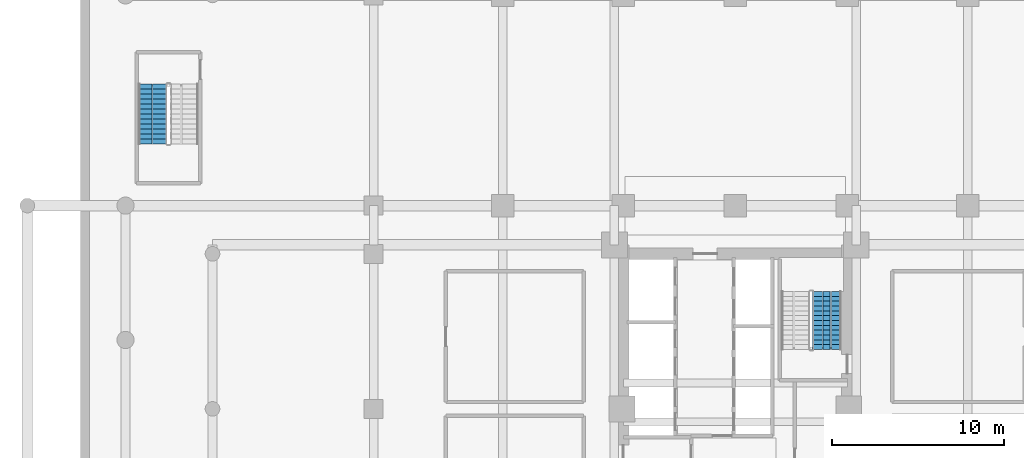
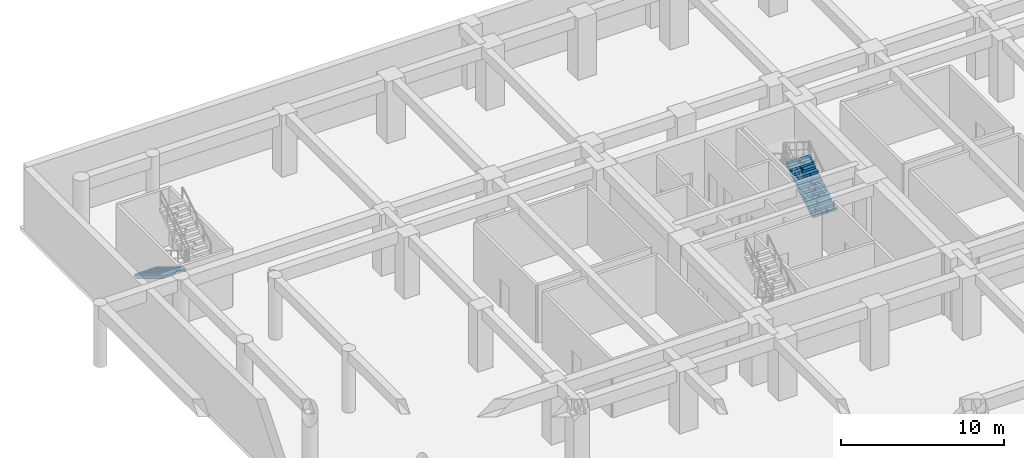
# One storey, part 6 of 12: 2 stair flights, 2 elements without a shape of their own.
"""IFC4 building model written with IfcOpenShell, lengths in metres."""

from ifc_helpers import new_model, si_unit, direction, frame, origin, place, context, subcontext, project, spatial, polyline, outline, extrude, material, type_object, element, aggregate, save


model = new_model("IFC4")

# Units and contexts
model_context = context("Model", 3, precision=1e-05, world=origin(), true_north=direction((0.0, 1.0)))
body_context = subcontext(model_context, "Body", "Model", "MODEL_VIEW")
ifc_project = project(units=[si_unit("LENGTHUNIT", "METRE"), si_unit("AREAUNIT", "SQUARE_METRE"), si_unit("VOLUMEUNIT", "CUBIC_METRE"), si_unit("PLANEANGLEUNIT", "RADIAN"), si_unit("MASSUNIT", "GRAM", prefix="KILO")], contexts=[model_context])

# Site, building, storey
site_placement = place(None, origin())
site = spatial("IfcSite", under=ifc_project, at=site_placement, CompositionType="ELEMENT")
building_placement = place(site_placement, origin())
building = spatial("IfcBuilding", under=site, at=building_placement, Name="Saelheon Loggia Tower", CompositionType="ELEMENT")
storey_placement = place(building_placement, frame((0.0, 0.0, -4.60009765625)))
storey = spatial("IfcBuildingStorey", under=building, at=storey_placement, Name="B1", CompositionType="ELEMENT", Elevation=-4.60009765625)

# Stair, stair flight
ifc_material = material(Name="Concrete C40/50", Category="concrete")
stair_type_1 = type_object("IfcStairType", Name="Stair_Escape_Podium", PredefinedType="HALF_TURN_STAIR", material=ifc_material)
stair_1_placement = place(storey_placement, origin())
stair_1 = element("IfcStair", 1, at=stair_1_placement, inside=storey, type_object=stair_type_1, Name="B1 Podium Escape Stair ST3", PredefinedType="HALF_TURN_STAIR")
stair_flight_type_1 = type_object("IfcStairFlightType", Name="StairFlight_Podium_1660", PredefinedType="STRAIGHT", material=ifc_material)
stair_flight_1_placement = place(storey_placement, frame((4.179931640625, 45.85009765625, 0.0), z_axis=(0.0, 0.0, 1.0), x_axis=(0.0, -1.0, 0.0)))
stair_flight_1 = element("IfcStairFlight", 2, at=stair_flight_1_placement, type_object=stair_flight_type_1, Name="ST3 flight 1", NumberOfRisers=13, NumberOfTreads=12, PredefinedType="STRAIGHT", RiserHeight=0.176923077, TreadLength=0.29, context=body_context, shape_type="SweptSolid", body=[
    extrude(outline(polyline([(0.0, 0.0), (0.0, 0.177001953125), (0.2900390625, 0.177001953125), (0.2900390625, 0.353759765625), (0.580078125, 0.353759765625), (0.580078125, 0.53076171875), (0.8701171875, 0.53076171875), (0.8701171875, 0.707763671875), (1.159912109375, 0.707763671875), (1.159912109375, 0.884521484375), (1.449951171875, 0.884521484375), (1.449951171875, 1.0615234375), (1.739990234375, 1.0615234375), (1.739990234375, 1.238525390625), (2.030029296875, 1.238525390625), (2.030029296875, 1.415283203125), (2.320068359375, 1.415283203125), (2.320068359375, 1.59228515625), (2.610107421875, 1.59228515625), (2.610107421875, 1.769287109375), (2.89990234375, 1.769287109375), (2.89990234375, 1.946044921875), (3.18994140625, 1.946044921875), (3.18994140625, 2.123046875), (3.47998046875, 2.123046875), (3.47998046875, 2.300048828125), (3.47998046875, 1.912353515625), (0.345458984375, 0.0), (0.0, 0.0)])), frame((0.0, -0.2490234375, 0.0), z_axis=(0.0, -1.0, 0.0), x_axis=(1.0, 0.0, 0.0)), (0.0, 0.0, 1.0), 0.5810546875),
    extrude(outline(polyline([(0.0, 0.0), (0.0, 0.177001953125), (0.2900390625, 0.177001953125), (0.2900390625, 0.353759765625), (0.580078125, 0.353759765625), (0.580078125, 0.53076171875), (0.8701171875, 0.53076171875), (0.8701171875, 0.707763671875), (1.159912109375, 0.707763671875), (1.159912109375, 0.884521484375), (1.449951171875, 0.884521484375), (1.449951171875, 1.0615234375), (1.739990234375, 1.0615234375), (1.739990234375, 1.238525390625), (2.030029296875, 1.238525390625), (2.030029296875, 1.415283203125), (2.320068359375, 1.415283203125), (2.320068359375, 1.59228515625), (2.610107421875, 1.59228515625), (2.610107421875, 1.769287109375), (2.89990234375, 1.769287109375), (2.89990234375, 1.946044921875), (3.18994140625, 1.946044921875), (3.18994140625, 2.123046875), (3.47998046875, 2.123046875), (3.47998046875, 2.300048828125), (3.47998046875, 1.912353515625), (0.345458984375, 0.0), (0.0, 0.0)])), frame((0.0, -0.194091796875, 0.0), z_axis=(0.0, -1.0, 0.0), x_axis=(1.0, 0.0, 0.0)), (0.0, 0.0, 1.0), 0.0498046875),
    extrude(outline(polyline([(0.0, 0.0), (0.0, 0.177001953125), (0.2900390625, 0.177001953125), (0.2900390625, 0.353759765625), (0.580078125, 0.353759765625), (0.580078125, 0.53076171875), (0.8701171875, 0.53076171875), (0.8701171875, 0.707763671875), (1.159912109375, 0.707763671875), (1.159912109375, 0.884521484375), (1.449951171875, 0.884521484375), (1.449951171875, 1.0615234375), (1.739990234375, 1.0615234375), (1.739990234375, 1.238525390625), (2.030029296875, 1.238525390625), (2.030029296875, 1.415283203125), (2.320068359375, 1.415283203125), (2.320068359375, 1.59228515625), (2.610107421875, 1.59228515625), (2.610107421875, 1.769287109375), (2.89990234375, 1.769287109375), (2.89990234375, 1.946044921875), (3.18994140625, 1.946044921875), (3.18994140625, 2.123046875), (3.47998046875, 2.123046875), (3.47998046875, 2.300048828125), (3.47998046875, 1.912353515625), (0.345458984375, 0.0), (0.0, 0.0)])), frame((0.0, -0.139404296875, 0.0), z_axis=(0.0, -1.0, 0.0), x_axis=(1.0, 0.0, 0.0)), (0.0, 0.0, 1.0), 0.0498046875),
    extrude(outline(polyline([(0.0, 0.0), (0.0, 0.177001953125), (0.2900390625, 0.177001953125), (0.2900390625, 0.353759765625), (0.580078125, 0.353759765625), (0.580078125, 0.53076171875), (0.8701171875, 0.53076171875), (0.8701171875, 0.707763671875), (1.159912109375, 0.707763671875), (1.159912109375, 0.884521484375), (1.449951171875, 0.884521484375), (1.449951171875, 1.0615234375), (1.739990234375, 1.0615234375), (1.739990234375, 1.238525390625), (2.030029296875, 1.238525390625), (2.030029296875, 1.415283203125), (2.320068359375, 1.415283203125), (2.320068359375, 1.59228515625), (2.610107421875, 1.59228515625), (2.610107421875, 1.769287109375), (2.89990234375, 1.769287109375), (2.89990234375, 1.946044921875), (3.18994140625, 1.946044921875), (3.18994140625, 2.123046875), (3.47998046875, 2.123046875), (3.47998046875, 2.300048828125), (3.47998046875, 1.912353515625), (0.345458984375, 0.0), (0.0, 0.0)])), frame((0.0, -0.084716796875, 0.0), z_axis=(0.0, -1.0, 0.0), x_axis=(1.0, 0.0, 0.0)), (0.0, 0.0, 1.0), 0.0498046875),
    extrude(outline(polyline([(0.0, 0.0), (0.0, 0.177001953125), (0.2900390625, 0.177001953125), (0.2900390625, 0.353759765625), (0.580078125, 0.353759765625), (0.580078125, 0.53076171875), (0.8701171875, 0.53076171875), (0.8701171875, 0.707763671875), (1.159912109375, 0.707763671875), (1.159912109375, 0.884521484375), (1.449951171875, 0.884521484375), (1.449951171875, 1.0615234375), (1.739990234375, 1.0615234375), (1.739990234375, 1.238525390625), (2.030029296875, 1.238525390625), (2.030029296875, 1.415283203125), (2.320068359375, 1.415283203125), (2.320068359375, 1.59228515625), (2.610107421875, 1.59228515625), (2.610107421875, 1.769287109375), (2.89990234375, 1.769287109375), (2.89990234375, 1.946044921875), (3.18994140625, 1.946044921875), (3.18994140625, 2.123046875), (3.47998046875, 2.123046875), (3.47998046875, 2.300048828125), (3.47998046875, 1.912353515625), (0.345458984375, 0.0), (0.0, 0.0)])), frame((0.0, -0.02978515625, 0.0), z_axis=(0.0, -1.0, 0.0), x_axis=(1.0, 0.0, 0.0)), (0.0, 0.0, 1.0), 0.0498046875),
    extrude(outline(polyline([(0.0, 0.0), (0.0, 0.177001953125), (0.2900390625, 0.177001953125), (0.2900390625, 0.353759765625), (0.580078125, 0.353759765625), (0.580078125, 0.53076171875), (0.8701171875, 0.53076171875), (0.8701171875, 0.707763671875), (1.159912109375, 0.707763671875), (1.159912109375, 0.884521484375), (1.449951171875, 0.884521484375), (1.449951171875, 1.0615234375), (1.739990234375, 1.0615234375), (1.739990234375, 1.238525390625), (2.030029296875, 1.238525390625), (2.030029296875, 1.415283203125), (2.320068359375, 1.415283203125), (2.320068359375, 1.59228515625), (2.610107421875, 1.59228515625), (2.610107421875, 1.769287109375), (2.89990234375, 1.769287109375), (2.89990234375, 1.946044921875), (3.18994140625, 1.946044921875), (3.18994140625, 2.123046875), (3.47998046875, 2.123046875), (3.47998046875, 2.300048828125), (3.47998046875, 1.912353515625), (0.345458984375, 0.0), (0.0, 0.0)])), frame((0.0, 0.02490234375, 0.0), z_axis=(0.0, -1.0, 0.0), x_axis=(1.0, 0.0, 0.0)), (0.0, 0.0, 1.0), 0.0498046875),
    extrude(outline(polyline([(0.0, 0.0), (0.0, 0.177001953125), (0.2900390625, 0.177001953125), (0.2900390625, 0.353759765625), (0.580078125, 0.353759765625), (0.580078125, 0.53076171875), (0.8701171875, 0.53076171875), (0.8701171875, 0.707763671875), (1.159912109375, 0.707763671875), (1.159912109375, 0.884521484375), (1.449951171875, 0.884521484375), (1.449951171875, 1.0615234375), (1.739990234375, 1.0615234375), (1.739990234375, 1.238525390625), (2.030029296875, 1.238525390625), (2.030029296875, 1.415283203125), (2.320068359375, 1.415283203125), (2.320068359375, 1.59228515625), (2.610107421875, 1.59228515625), (2.610107421875, 1.769287109375), (2.89990234375, 1.769287109375), (2.89990234375, 1.946044921875), (3.18994140625, 1.946044921875), (3.18994140625, 2.123046875), (3.47998046875, 2.123046875), (3.47998046875, 2.300048828125), (3.47998046875, 1.912353515625), (0.345458984375, 0.0), (0.0, 0.0)])), frame((0.0, 0.07958984375, 0.0), z_axis=(0.0, -1.0, 0.0), x_axis=(1.0, 0.0, 0.0)), (0.0, 0.0, 1.0), 0.0498046875),
    extrude(outline(polyline([(0.0, 0.0), (0.0, 0.177001953125), (0.2900390625, 0.177001953125), (0.2900390625, 0.353759765625), (0.580078125, 0.353759765625), (0.580078125, 0.53076171875), (0.8701171875, 0.53076171875), (0.8701171875, 0.707763671875), (1.159912109375, 0.707763671875), (1.159912109375, 0.884521484375), (1.449951171875, 0.884521484375), (1.449951171875, 1.0615234375), (1.739990234375, 1.0615234375), (1.739990234375, 1.238525390625), (2.030029296875, 1.238525390625), (2.030029296875, 1.415283203125), (2.320068359375, 1.415283203125), (2.320068359375, 1.59228515625), (2.610107421875, 1.59228515625), (2.610107421875, 1.769287109375), (2.89990234375, 1.769287109375), (2.89990234375, 1.946044921875), (3.18994140625, 1.946044921875), (3.18994140625, 2.123046875), (3.47998046875, 2.123046875), (3.47998046875, 2.300048828125), (3.47998046875, 1.912353515625), (0.345458984375, 0.0), (0.0, 0.0)])), frame((0.0, 0.134521484375, 0.0), z_axis=(0.0, -1.0, 0.0), x_axis=(1.0, 0.0, 0.0)), (0.0, 0.0, 1.0), 0.0498046875),
    extrude(outline(polyline([(0.0, 0.0), (0.0, 0.177001953125), (0.2900390625, 0.177001953125), (0.2900390625, 0.353759765625), (0.580078125, 0.353759765625), (0.580078125, 0.53076171875), (0.8701171875, 0.53076171875), (0.8701171875, 0.707763671875), (1.159912109375, 0.707763671875), (1.159912109375, 0.884521484375), (1.449951171875, 0.884521484375), (1.449951171875, 1.0615234375), (1.739990234375, 1.0615234375), (1.739990234375, 1.238525390625), (2.030029296875, 1.238525390625), (2.030029296875, 1.415283203125), (2.320068359375, 1.415283203125), (2.320068359375, 1.59228515625), (2.610107421875, 1.59228515625), (2.610107421875, 1.769287109375), (2.89990234375, 1.769287109375), (2.89990234375, 1.946044921875), (3.18994140625, 1.946044921875), (3.18994140625, 2.123046875), (3.47998046875, 2.123046875), (3.47998046875, 2.300048828125), (3.47998046875, 1.912353515625), (0.345458984375, 0.0), (0.0, 0.0)])), frame((0.0, 0.189208984375, 0.0), z_axis=(0.0, -1.0, 0.0), x_axis=(1.0, 0.0, 0.0)), (0.0, 0.0, 1.0), 0.0498046875),
    extrude(outline(polyline([(0.0, 0.0), (0.0, 0.177001953125), (0.2900390625, 0.177001953125), (0.2900390625, 0.353759765625), (0.580078125, 0.353759765625), (0.580078125, 0.53076171875), (0.8701171875, 0.53076171875), (0.8701171875, 0.707763671875), (1.159912109375, 0.707763671875), (1.159912109375, 0.884521484375), (1.449951171875, 0.884521484375), (1.449951171875, 1.0615234375), (1.739990234375, 1.0615234375), (1.739990234375, 1.238525390625), (2.030029296875, 1.238525390625), (2.030029296875, 1.415283203125), (2.320068359375, 1.415283203125), (2.320068359375, 1.59228515625), (2.610107421875, 1.59228515625), (2.610107421875, 1.769287109375), (2.89990234375, 1.769287109375), (2.89990234375, 1.946044921875), (3.18994140625, 1.946044921875), (3.18994140625, 2.123046875), (3.47998046875, 2.123046875), (3.47998046875, 2.300048828125), (3.47998046875, 1.912353515625), (0.345458984375, 0.0), (0.0, 0.0)])), frame((0.0, 0.243896484375, 0.0), z_axis=(0.0, -1.0, 0.0), x_axis=(1.0, 0.0, 0.0)), (0.0, 0.0, 1.0), 0.0498046875),
    extrude(outline(polyline([(0.0, 0.0), (0.0, 0.177001953125), (0.2900390625, 0.177001953125), (0.2900390625, 0.353759765625), (0.580078125, 0.353759765625), (0.580078125, 0.53076171875), (0.8701171875, 0.53076171875), (0.8701171875, 0.707763671875), (1.159912109375, 0.707763671875), (1.159912109375, 0.884521484375), (1.449951171875, 0.884521484375), (1.449951171875, 1.0615234375), (1.739990234375, 1.0615234375), (1.739990234375, 1.238525390625), (2.030029296875, 1.238525390625), (2.030029296875, 1.415283203125), (2.320068359375, 1.415283203125), (2.320068359375, 1.59228515625), (2.610107421875, 1.59228515625), (2.610107421875, 1.769287109375), (2.89990234375, 1.769287109375), (2.89990234375, 1.946044921875), (3.18994140625, 1.946044921875), (3.18994140625, 2.123046875), (3.47998046875, 2.123046875), (3.47998046875, 2.300048828125), (3.47998046875, 1.912353515625), (0.345458984375, 0.0), (0.0, 0.0)])), frame((0.0, 0.830078125, 0.0), z_axis=(0.0, -1.0, 0.0), x_axis=(1.0, 0.0, 0.0)), (0.0, 0.0, 1.0), 0.5810546875),
])
aggregate(stair_1, [stair_flight_1])

stair_type_2 = type_object("IfcStairType", Name="Stair_Escape_Core", PredefinedType="HALF_TURN_STAIR", material=ifc_material)
stair_2_placement = place(storey_placement, origin())
stair_2 = element("IfcStair", 3, at=stair_2_placement, inside=storey, type_object=stair_type_2, Name="B1 Special Escape Stair ST2", PredefinedType="HALF_TURN_STAIR")
stair_flight_type_2 = type_object("IfcStairFlightType", Name="StairFlight_Tower_1660", PredefinedType="STRAIGHT", material=ifc_material)
stair_flight_2_placement = place(storey_placement, frame((43.320068359375, 30.449951171875, 0.0), z_axis=(0.0, 0.0, 1.0), x_axis=(0.0, 1.0, 0.0)))
stair_flight_2 = element("IfcStairFlight", 4, at=stair_flight_2_placement, type_object=stair_flight_type_2, Name="ST2 flight 1", NumberOfRisers=13, NumberOfTreads=12, PredefinedType="STRAIGHT", RiserHeight=0.176923077, TreadLength=0.28, context=body_context, shape_type="SweptSolid", body=[
    extrude(outline(polyline([(0.0, 0.0), (0.0, 0.177001953125), (0.280029296875, 0.177001953125), (0.280029296875, 0.353759765625), (0.56005859375, 0.353759765625), (0.56005859375, 0.53076171875), (0.840087890625, 0.53076171875), (0.840087890625, 0.707763671875), (1.1201171875, 0.707763671875), (1.1201171875, 0.884521484375), (1.39990234375, 0.884521484375), (1.39990234375, 1.0615234375), (1.679931640625, 1.0615234375), (1.679931640625, 1.238525390625), (1.9599609375, 1.238525390625), (1.9599609375, 1.415283203125), (2.239990234375, 1.415283203125), (2.239990234375, 1.59228515625), (2.52001953125, 1.59228515625), (2.52001953125, 1.769287109375), (2.800048828125, 1.769287109375), (2.800048828125, 1.946044921875), (3.080078125, 1.946044921875), (3.080078125, 2.123046875), (3.360107421875, 2.123046875), (3.360107421875, 2.300048828125), (3.360107421875, 1.91015625), (0.3369140625, 0.0), (0.0, 0.0)])), frame((0.0, -0.2490234375, 0.0), z_axis=(0.0, -1.0, 0.0), x_axis=(1.0, 0.0, 0.0)), (0.0, 0.0, 1.0), 0.5810546875),
    extrude(outline(polyline([(0.0, 0.0), (0.0, 0.177001953125), (0.280029296875, 0.177001953125), (0.280029296875, 0.353759765625), (0.56005859375, 0.353759765625), (0.56005859375, 0.53076171875), (0.840087890625, 0.53076171875), (0.840087890625, 0.707763671875), (1.1201171875, 0.707763671875), (1.1201171875, 0.884521484375), (1.39990234375, 0.884521484375), (1.39990234375, 1.0615234375), (1.679931640625, 1.0615234375), (1.679931640625, 1.238525390625), (1.9599609375, 1.238525390625), (1.9599609375, 1.415283203125), (2.239990234375, 1.415283203125), (2.239990234375, 1.59228515625), (2.52001953125, 1.59228515625), (2.52001953125, 1.769287109375), (2.800048828125, 1.769287109375), (2.800048828125, 1.946044921875), (3.080078125, 1.946044921875), (3.080078125, 2.123046875), (3.360107421875, 2.123046875), (3.360107421875, 2.300048828125), (3.360107421875, 1.91015625), (0.3369140625, 0.0), (0.0, 0.0)])), frame((0.0, -0.194091796875, 0.0), z_axis=(0.0, -1.0, 0.0), x_axis=(1.0, 0.0, 0.0)), (0.0, 0.0, 1.0), 0.0498046875),
    extrude(outline(polyline([(0.0, 0.0), (0.0, 0.177001953125), (0.280029296875, 0.177001953125), (0.280029296875, 0.353759765625), (0.56005859375, 0.353759765625), (0.56005859375, 0.53076171875), (0.840087890625, 0.53076171875), (0.840087890625, 0.707763671875), (1.1201171875, 0.707763671875), (1.1201171875, 0.884521484375), (1.39990234375, 0.884521484375), (1.39990234375, 1.0615234375), (1.679931640625, 1.0615234375), (1.679931640625, 1.238525390625), (1.9599609375, 1.238525390625), (1.9599609375, 1.415283203125), (2.239990234375, 1.415283203125), (2.239990234375, 1.59228515625), (2.52001953125, 1.59228515625), (2.52001953125, 1.769287109375), (2.800048828125, 1.769287109375), (2.800048828125, 1.946044921875), (3.080078125, 1.946044921875), (3.080078125, 2.123046875), (3.360107421875, 2.123046875), (3.360107421875, 2.300048828125), (3.360107421875, 1.91015625), (0.3369140625, 0.0), (0.0, 0.0)])), frame((0.0, -0.139404296875, 0.0), z_axis=(0.0, -1.0, 0.0), x_axis=(1.0, 0.0, 0.0)), (0.0, 0.0, 1.0), 0.0498046875),
    extrude(outline(polyline([(0.0, 0.0), (0.0, 0.177001953125), (0.280029296875, 0.177001953125), (0.280029296875, 0.353759765625), (0.56005859375, 0.353759765625), (0.56005859375, 0.53076171875), (0.840087890625, 0.53076171875), (0.840087890625, 0.707763671875), (1.1201171875, 0.707763671875), (1.1201171875, 0.884521484375), (1.39990234375, 0.884521484375), (1.39990234375, 1.0615234375), (1.679931640625, 1.0615234375), (1.679931640625, 1.238525390625), (1.9599609375, 1.238525390625), (1.9599609375, 1.415283203125), (2.239990234375, 1.415283203125), (2.239990234375, 1.59228515625), (2.52001953125, 1.59228515625), (2.52001953125, 1.769287109375), (2.800048828125, 1.769287109375), (2.800048828125, 1.946044921875), (3.080078125, 1.946044921875), (3.080078125, 2.123046875), (3.360107421875, 2.123046875), (3.360107421875, 2.300048828125), (3.360107421875, 1.91015625), (0.3369140625, 0.0), (0.0, 0.0)])), frame((0.0, -0.084716796875, 0.0), z_axis=(0.0, -1.0, 0.0), x_axis=(1.0, 0.0, 0.0)), (0.0, 0.0, 1.0), 0.0498046875),
    extrude(outline(polyline([(0.0, 0.0), (0.0, 0.177001953125), (0.280029296875, 0.177001953125), (0.280029296875, 0.353759765625), (0.56005859375, 0.353759765625), (0.56005859375, 0.53076171875), (0.840087890625, 0.53076171875), (0.840087890625, 0.707763671875), (1.1201171875, 0.707763671875), (1.1201171875, 0.884521484375), (1.39990234375, 0.884521484375), (1.39990234375, 1.0615234375), (1.679931640625, 1.0615234375), (1.679931640625, 1.238525390625), (1.9599609375, 1.238525390625), (1.9599609375, 1.415283203125), (2.239990234375, 1.415283203125), (2.239990234375, 1.59228515625), (2.52001953125, 1.59228515625), (2.52001953125, 1.769287109375), (2.800048828125, 1.769287109375), (2.800048828125, 1.946044921875), (3.080078125, 1.946044921875), (3.080078125, 2.123046875), (3.360107421875, 2.123046875), (3.360107421875, 2.300048828125), (3.360107421875, 1.91015625), (0.3369140625, 0.0), (0.0, 0.0)])), frame((0.0, -0.02978515625, 0.0), z_axis=(0.0, -1.0, 0.0), x_axis=(1.0, 0.0, 0.0)), (0.0, 0.0, 1.0), 0.0498046875),
    extrude(outline(polyline([(0.0, 0.0), (0.0, 0.177001953125), (0.280029296875, 0.177001953125), (0.280029296875, 0.353759765625), (0.56005859375, 0.353759765625), (0.56005859375, 0.53076171875), (0.840087890625, 0.53076171875), (0.840087890625, 0.707763671875), (1.1201171875, 0.707763671875), (1.1201171875, 0.884521484375), (1.39990234375, 0.884521484375), (1.39990234375, 1.0615234375), (1.679931640625, 1.0615234375), (1.679931640625, 1.238525390625), (1.9599609375, 1.238525390625), (1.9599609375, 1.415283203125), (2.239990234375, 1.415283203125), (2.239990234375, 1.59228515625), (2.52001953125, 1.59228515625), (2.52001953125, 1.769287109375), (2.800048828125, 1.769287109375), (2.800048828125, 1.946044921875), (3.080078125, 1.946044921875), (3.080078125, 2.123046875), (3.360107421875, 2.123046875), (3.360107421875, 2.300048828125), (3.360107421875, 1.91015625), (0.3369140625, 0.0), (0.0, 0.0)])), frame((0.0, 0.02490234375, 0.0), z_axis=(0.0, -1.0, 0.0), x_axis=(1.0, 0.0, 0.0)), (0.0, 0.0, 1.0), 0.0498046875),
    extrude(outline(polyline([(0.0, 0.0), (0.0, 0.177001953125), (0.280029296875, 0.177001953125), (0.280029296875, 0.353759765625), (0.56005859375, 0.353759765625), (0.56005859375, 0.53076171875), (0.840087890625, 0.53076171875), (0.840087890625, 0.707763671875), (1.1201171875, 0.707763671875), (1.1201171875, 0.884521484375), (1.39990234375, 0.884521484375), (1.39990234375, 1.0615234375), (1.679931640625, 1.0615234375), (1.679931640625, 1.238525390625), (1.9599609375, 1.238525390625), (1.9599609375, 1.415283203125), (2.239990234375, 1.415283203125), (2.239990234375, 1.59228515625), (2.52001953125, 1.59228515625), (2.52001953125, 1.769287109375), (2.800048828125, 1.769287109375), (2.800048828125, 1.946044921875), (3.080078125, 1.946044921875), (3.080078125, 2.123046875), (3.360107421875, 2.123046875), (3.360107421875, 2.300048828125), (3.360107421875, 1.91015625), (0.3369140625, 0.0), (0.0, 0.0)])), frame((0.0, 0.07958984375, 0.0), z_axis=(0.0, -1.0, 0.0), x_axis=(1.0, 0.0, 0.0)), (0.0, 0.0, 1.0), 0.0498046875),
    extrude(outline(polyline([(0.0, 0.0), (0.0, 0.177001953125), (0.280029296875, 0.177001953125), (0.280029296875, 0.353759765625), (0.56005859375, 0.353759765625), (0.56005859375, 0.53076171875), (0.840087890625, 0.53076171875), (0.840087890625, 0.707763671875), (1.1201171875, 0.707763671875), (1.1201171875, 0.884521484375), (1.39990234375, 0.884521484375), (1.39990234375, 1.0615234375), (1.679931640625, 1.0615234375), (1.679931640625, 1.238525390625), (1.9599609375, 1.238525390625), (1.9599609375, 1.415283203125), (2.239990234375, 1.415283203125), (2.239990234375, 1.59228515625), (2.52001953125, 1.59228515625), (2.52001953125, 1.769287109375), (2.800048828125, 1.769287109375), (2.800048828125, 1.946044921875), (3.080078125, 1.946044921875), (3.080078125, 2.123046875), (3.360107421875, 2.123046875), (3.360107421875, 2.300048828125), (3.360107421875, 1.91015625), (0.3369140625, 0.0), (0.0, 0.0)])), frame((0.0, 0.134521484375, 0.0), z_axis=(0.0, -1.0, 0.0), x_axis=(1.0, 0.0, 0.0)), (0.0, 0.0, 1.0), 0.0498046875),
    extrude(outline(polyline([(0.0, 0.0), (0.0, 0.177001953125), (0.280029296875, 0.177001953125), (0.280029296875, 0.353759765625), (0.56005859375, 0.353759765625), (0.56005859375, 0.53076171875), (0.840087890625, 0.53076171875), (0.840087890625, 0.707763671875), (1.1201171875, 0.707763671875), (1.1201171875, 0.884521484375), (1.39990234375, 0.884521484375), (1.39990234375, 1.0615234375), (1.679931640625, 1.0615234375), (1.679931640625, 1.238525390625), (1.9599609375, 1.238525390625), (1.9599609375, 1.415283203125), (2.239990234375, 1.415283203125), (2.239990234375, 1.59228515625), (2.52001953125, 1.59228515625), (2.52001953125, 1.769287109375), (2.800048828125, 1.769287109375), (2.800048828125, 1.946044921875), (3.080078125, 1.946044921875), (3.080078125, 2.123046875), (3.360107421875, 2.123046875), (3.360107421875, 2.300048828125), (3.360107421875, 1.91015625), (0.3369140625, 0.0), (0.0, 0.0)])), frame((0.0, 0.189208984375, 0.0), z_axis=(0.0, -1.0, 0.0), x_axis=(1.0, 0.0, 0.0)), (0.0, 0.0, 1.0), 0.0498046875),
    extrude(outline(polyline([(0.0, 0.0), (0.0, 0.177001953125), (0.280029296875, 0.177001953125), (0.280029296875, 0.353759765625), (0.56005859375, 0.353759765625), (0.56005859375, 0.53076171875), (0.840087890625, 0.53076171875), (0.840087890625, 0.707763671875), (1.1201171875, 0.707763671875), (1.1201171875, 0.884521484375), (1.39990234375, 0.884521484375), (1.39990234375, 1.0615234375), (1.679931640625, 1.0615234375), (1.679931640625, 1.238525390625), (1.9599609375, 1.238525390625), (1.9599609375, 1.415283203125), (2.239990234375, 1.415283203125), (2.239990234375, 1.59228515625), (2.52001953125, 1.59228515625), (2.52001953125, 1.769287109375), (2.800048828125, 1.769287109375), (2.800048828125, 1.946044921875), (3.080078125, 1.946044921875), (3.080078125, 2.123046875), (3.360107421875, 2.123046875), (3.360107421875, 2.300048828125), (3.360107421875, 1.91015625), (0.3369140625, 0.0), (0.0, 0.0)])), frame((0.0, 0.243896484375, 0.0), z_axis=(0.0, -1.0, 0.0), x_axis=(1.0, 0.0, 0.0)), (0.0, 0.0, 1.0), 0.0498046875),
    extrude(outline(polyline([(0.0, 0.0), (0.0, 0.177001953125), (0.280029296875, 0.177001953125), (0.280029296875, 0.353759765625), (0.56005859375, 0.353759765625), (0.56005859375, 0.53076171875), (0.840087890625, 0.53076171875), (0.840087890625, 0.707763671875), (1.1201171875, 0.707763671875), (1.1201171875, 0.884521484375), (1.39990234375, 0.884521484375), (1.39990234375, 1.0615234375), (1.679931640625, 1.0615234375), (1.679931640625, 1.238525390625), (1.9599609375, 1.238525390625), (1.9599609375, 1.415283203125), (2.239990234375, 1.415283203125), (2.239990234375, 1.59228515625), (2.52001953125, 1.59228515625), (2.52001953125, 1.769287109375), (2.800048828125, 1.769287109375), (2.800048828125, 1.946044921875), (3.080078125, 1.946044921875), (3.080078125, 2.123046875), (3.360107421875, 2.123046875), (3.360107421875, 2.300048828125), (3.360107421875, 1.91015625), (0.3369140625, 0.0), (0.0, 0.0)])), frame((0.0, 0.830078125, 0.0), z_axis=(0.0, -1.0, 0.0), x_axis=(1.0, 0.0, 0.0)), (0.0, 0.0, 1.0), 0.5810546875),
])
aggregate(stair_2, [stair_flight_2])

save(model, "model.ifc")
